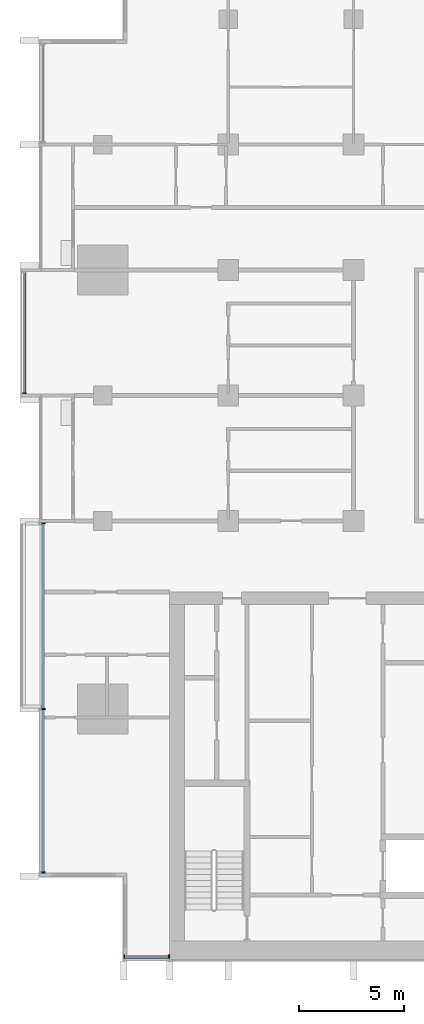
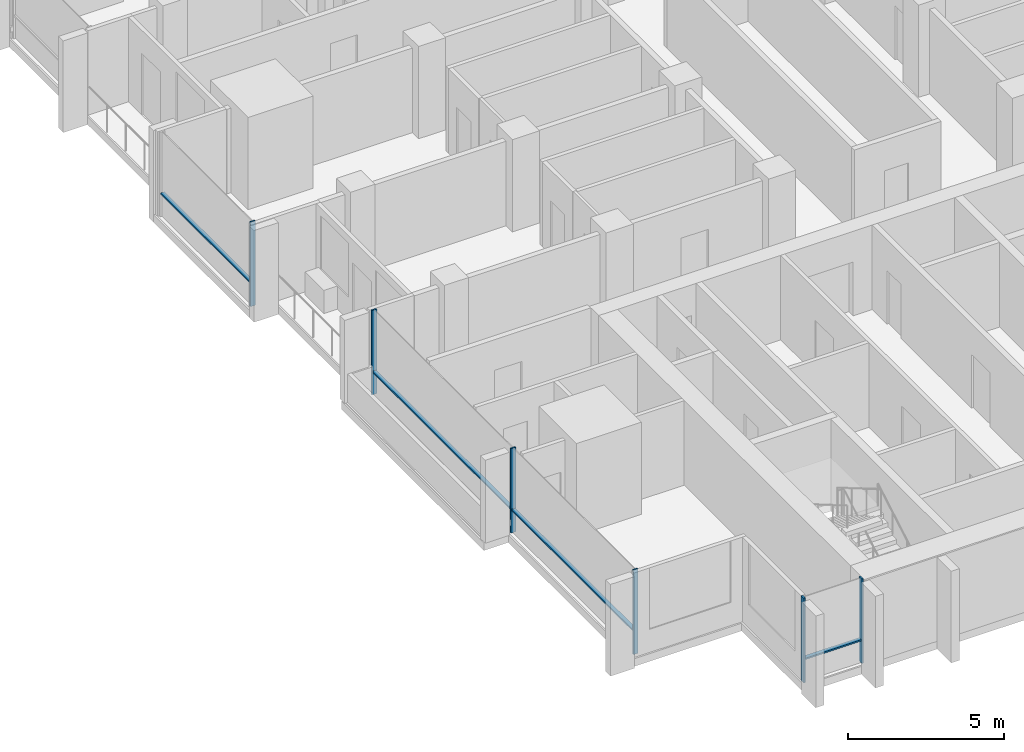
# One storey, part 2 of 17: 10 members, 3 elements without a shape of their own.
"""IFC4 building model written with IfcOpenShell, lengths in metres."""

from ifc_helpers import new_model, si_unit, direction, frame, origin, origin_2d, place, context, subcontext, project, spatial, rectangle, extrude, material, material_profile, profile_set, type_object, element, aggregate, save


model = new_model("IFC4")

# Units and contexts
model_context = context("Model", 3, precision=1e-05, world=origin(), true_north=direction((0.0, 1.0)))
body_context = subcontext(model_context, "Body", "Model", "MODEL_VIEW")
ifc_project = project(units=[si_unit("LENGTHUNIT", "METRE"), si_unit("AREAUNIT", "SQUARE_METRE"), si_unit("VOLUMEUNIT", "CUBIC_METRE"), si_unit("PLANEANGLEUNIT", "RADIAN"), si_unit("MASSUNIT", "GRAM", prefix="KILO")], contexts=[model_context])

# Site, building, storey
site_placement = place(None, origin())
site = spatial("IfcSite", under=ifc_project, at=site_placement, CompositionType="ELEMENT")
building_placement = place(site_placement, origin())
building = spatial("IfcBuilding", under=site, at=building_placement, Name="Finial Court Residences", CompositionType="ELEMENT")
storey_placement = place(building_placement, frame((0.0, 0.0, 167.300048828125)))
storey = spatial("IfcBuildingStorey", under=building, at=storey_placement, Name="L41", CompositionType="ELEMENT", Elevation=167.300048828125)

# Curtain wall, members
ifc_material = material(Name="Bronze anodised aluminium", Category="aluminium")
curtain_wall_type = type_object("IfcCurtainWallType", Name="Unitised curtain wall, upper zones", PredefinedType="NOTDEFINED", material=ifc_material)
curtain_wall_1_placement = place(storey_placement, origin())
curtain_wall_1 = element("IfcCurtainWall", 1, at=curtain_wall_1_placement, inside=storey, type_object=curtain_wall_type, Name="E-L41-CW-S7", PredefinedType="NOTDEFINED")
ifc_material_profile_1 = material_profile(ifc_material, rectangle(XDim=0.175048828125, YDim=0.06005859375, at=origin_2d()), Name="CW2 mullion 60 x 175")
ifc_profile_set_1 = profile_set([ifc_material_profile_1], Name="Bronze anodised aluminium")
member_type_1 = type_object("IfcMemberType", Name="CW2 mullion 60 x 175", PredefinedType="MULLION", material=ifc_profile_set_1)
member_1_placement = place(storey_placement, frame((-15.469970703125, -25.35009765625, 0.0), z_axis=(0.0, 0.0, 1.0), x_axis=(0.0, 1.0, 0.0)))
member_1 = element("IfcMember", 2, at=member_1_placement, type_object=member_type_1, Name="CW2 mullion 1", PredefinedType="MULLION", context=body_context, shape_type="SweptSolid", body=[
    extrude(rectangle(XDim=0.175048828125, YDim=0.06005859375, at=origin_2d()), origin(), (0.0, 0.0, 1.0), 3.300048828125),
])
member_2_placement = place(storey_placement, frame((-13.330078125, -25.35009765625, 0.0), z_axis=(0.0, 0.0, 1.0), x_axis=(0.0, 1.0, 0.0)))
member_2 = element("IfcMember", 3, at=member_2_placement, type_object=member_type_1, Name="CW2 mullion 2", PredefinedType="MULLION", context=body_context, shape_type="SweptSolid", body=[
    extrude(rectangle(XDim=0.175048828125, YDim=0.06005859375, at=origin_2d()), origin(), (0.0, 0.0, 1.0), 3.300048828125),
])

curtain_wall_2_placement = place(storey_placement, origin())
curtain_wall_2 = element("IfcCurtainWall", 4, at=curtain_wall_2_placement, inside=storey, type_object=curtain_wall_type, Name="E-L41-CW-W9", PredefinedType="NOTDEFINED")
member_3_placement = place(storey_placement, frame((-19.35009765625, -21.320068359375, 0.0), z_axis=(0.0, 0.0, 1.0), x_axis=(-1.0, 0.0, 0.0)))
member_3 = element("IfcMember", 5, at=member_3_placement, type_object=member_type_1, Name="CW2 mullion 1", PredefinedType="MULLION", context=body_context, shape_type="SweptSolid", body=[
    extrude(rectangle(XDim=0.175048828125, YDim=0.06005859375, at=origin_2d()), origin(), (0.0, 0.0, 1.0), 3.300048828125),
])
member_4_placement = place(storey_placement, frame((-19.35009765625, -13.5, 0.0), z_axis=(0.0, 0.0, 1.0), x_axis=(-1.0, 0.0, 0.0)))
member_4 = element("IfcMember", 6, at=member_4_placement, type_object=member_type_1, Name="CW2 mullion 2", PredefinedType="MULLION", context=body_context, shape_type="SweptSolid", body=[
    extrude(rectangle(XDim=0.175048828125, YDim=0.06005859375, at=origin_2d()), origin(), (0.0, 0.0, 1.0), 3.300048828125),
])
member_5_placement = place(storey_placement, frame((-19.35009765625, -4.60498046875, 0.0), z_axis=(0.0, 0.0, 1.0), x_axis=(-1.0, 0.0, 0.0)))
member_5 = element("IfcMember", 7, at=member_5_placement, type_object=member_type_1, Name="CW2 mullion 3", PredefinedType="MULLION", context=body_context, shape_type="SweptSolid", body=[
    extrude(rectangle(XDim=0.175048828125, YDim=0.06005859375, at=origin_2d()), origin(), (0.0, 0.0, 1.0), 3.300048828125),
])

# Curtain wall, member
curtain_wall_3_placement = place(storey_placement, origin())
curtain_wall_3 = element("IfcCurtainWall", 8, at=curtain_wall_3_placement, inside=storey, type_object=curtain_wall_type, Name="E-L41-CW-W10", PredefinedType="NOTDEFINED")
member_6_placement = place(storey_placement, frame((-20.25, 1.60498046875, 0.0), z_axis=(0.0, 0.0, 1.0), x_axis=(-1.0, 0.0, 0.0)))
member_6 = element("IfcMember", 9, at=member_6_placement, type_object=member_type_1, Name="CW2 mullion 1", PredefinedType="MULLION", context=body_context, shape_type="SweptSolid", body=[
    extrude(rectangle(XDim=0.175048828125, YDim=0.06005859375, at=origin_2d()), origin(), (0.0, 0.0, 1.0), 3.300048828125),
])

# Member
ifc_material_profile_2 = material_profile(ifc_material, rectangle(XDim=0.139892578125, YDim=0.06005859375, at=origin_2d()), Name="CW2 transom 60 x 140")
ifc_profile_set_2 = profile_set([ifc_material_profile_2], Name="Bronze anodised aluminium")
member_type_2 = type_object("IfcMemberType", Name="CW2 transom 60 x 140", PredefinedType="USERDEFINED", material=ifc_profile_set_2)
member_7_placement = place(storey_placement, frame((-15.43994140625, -25.35009765625, 0.89990234375), z_axis=(1.0, 0.0, 0.0), x_axis=(0.0, 1.0, 0.0)))
member_7 = element("IfcMember", 10, at=member_7_placement, type_object=member_type_2, Name="CW2 transom 1.1", ObjectType="TRANSOM", PredefinedType="USERDEFINED", context=body_context, shape_type="SweptSolid", body=[
    extrude(rectangle(XDim=0.139892578125, YDim=0.06005859375, at=origin_2d()), origin(), (0.0, 0.0, 1.0), 2.079833984375),
])

aggregate(curtain_wall_1, [member_1, member_2, member_7])

member_8_placement = place(storey_placement, frame((-19.35009765625, -21.2900390625, 0.89990234375), z_axis=(0.0, 1.0, 0.0), x_axis=(-1.0, 0.0, 0.0)))
member_8 = element("IfcMember", 11, at=member_8_placement, type_object=member_type_2, Name="CW2 transom 1.1", ObjectType="TRANSOM", PredefinedType="USERDEFINED", context=body_context, shape_type="SweptSolid", body=[
    extrude(rectangle(XDim=0.139892578125, YDim=0.06005859375, at=origin_2d()), origin(), (0.0, 0.0, 1.0), 7.760009765625),
])

member_9_placement = place(storey_placement, frame((-19.35009765625, -13.469970703125, 0.89990234375), z_axis=(0.0, 1.0, 0.0), x_axis=(-1.0, 0.0, 0.0)))
member_9 = element("IfcMember", 12, at=member_9_placement, type_object=member_type_2, Name="CW2 transom 2.1", ObjectType="TRANSOM", PredefinedType="USERDEFINED", context=body_context, shape_type="SweptSolid", body=[
    extrude(rectangle(XDim=0.139892578125, YDim=0.06005859375, at=origin_2d()), origin(), (0.0, 0.0, 1.0), 8.8349609375),
])

aggregate(curtain_wall_2, [member_3, member_4, member_5, member_8, member_9])

member_10_placement = place(storey_placement, frame((-20.25, 1.635009765625, 0.89990234375), z_axis=(0.0, 1.0, 0.0), x_axis=(-1.0, 0.0, 0.0)))
member_10 = element("IfcMember", 13, at=member_10_placement, type_object=member_type_2, Name="CW2 transom 1.1", ObjectType="TRANSOM", PredefinedType="USERDEFINED", context=body_context, shape_type="SweptSolid", body=[
    extrude(rectangle(XDim=0.139892578125, YDim=0.06005859375, at=origin_2d()), origin(), (0.0, 0.0, 1.0), 5.72998046875),
])

aggregate(curtain_wall_3, [member_6, member_10])

save(model, "model.ifc")
